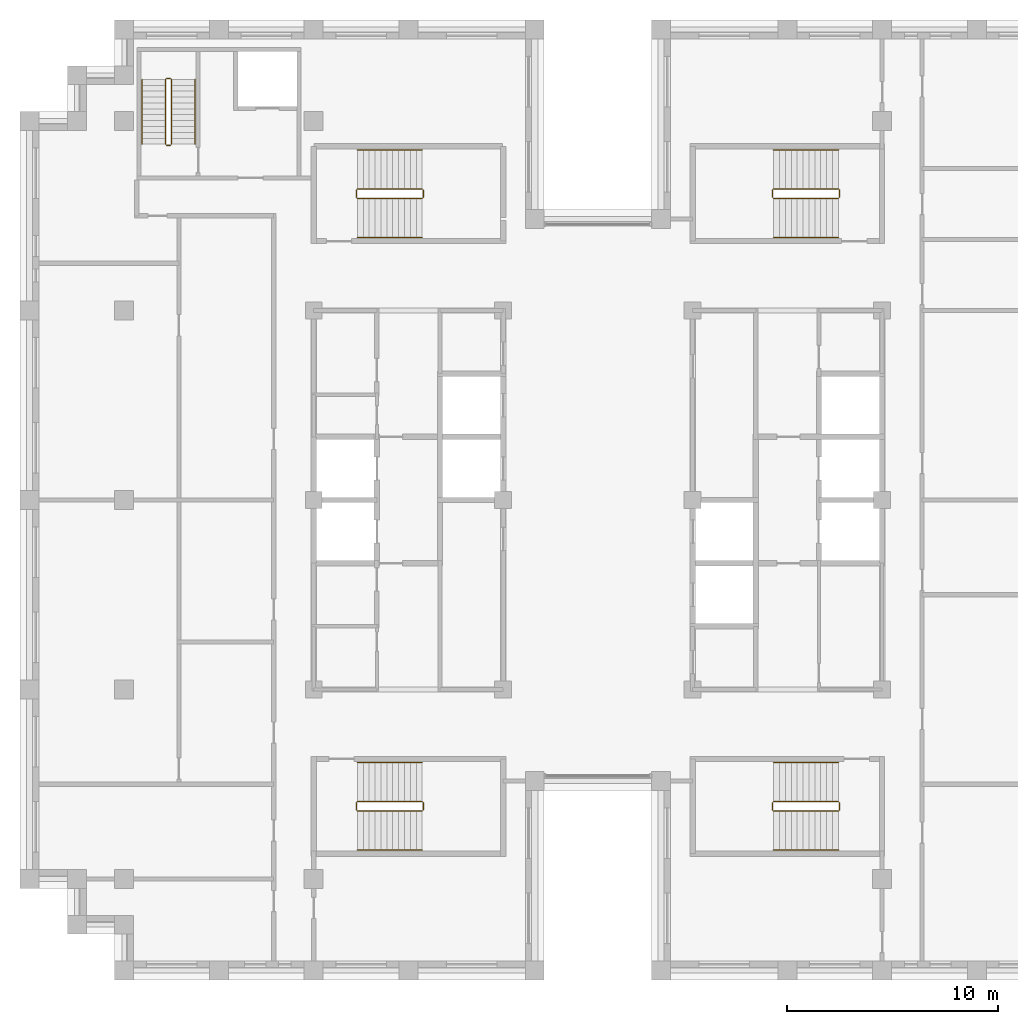
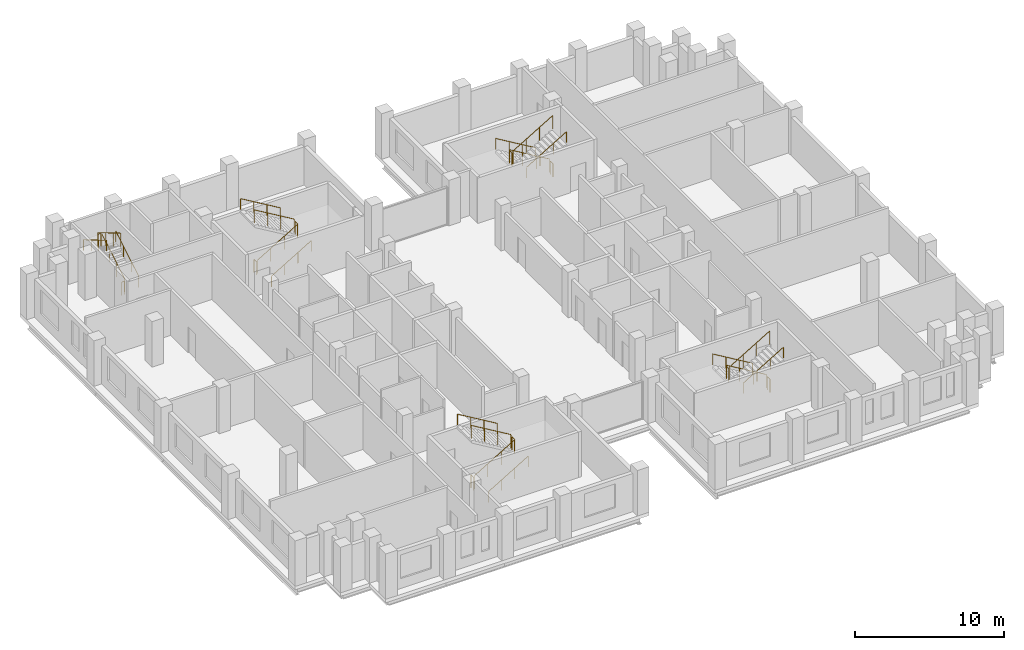
# One storey, part 13 of 13: 5 railings.
"""IFC4 building model written with IfcOpenShell, lengths in metres."""

from ifc_helpers import new_model, si_unit, direction, frame, origin, origin_2d, place, context, subcontext, project, spatial, circle, extrude, material, type_object, element, save


model = new_model("IFC4")

# Units and contexts
model_context = context("Model", 3, precision=1e-05, world=origin(), true_north=direction((0.0, 1.0)))
body_context = subcontext(model_context, "Body", "Model", "MODEL_VIEW")
ifc_project = project(units=[si_unit("LENGTHUNIT", "METRE"), si_unit("AREAUNIT", "SQUARE_METRE"), si_unit("VOLUMEUNIT", "CUBIC_METRE"), si_unit("PLANEANGLEUNIT", "RADIAN"), si_unit("MASSUNIT", "GRAM", prefix="KILO")], contexts=[model_context])

# Site, building, storey
site_placement = place(None, origin())
site = spatial("IfcSite", under=ifc_project, at=site_placement, CompositionType="ELEMENT")
building_placement = place(site_placement, origin())
building = spatial("IfcBuilding", under=site, at=building_placement, Name="Corbelhall Arena Tower", CompositionType="ELEMENT")
storey_placement = place(building_placement, frame((0.0, 0.0, 258.0)))
storey = spatial("IfcBuildingStorey", under=building, at=storey_placement, Name="L55", CompositionType="ELEMENT", Elevation=258.0)

# Railings
ifc_material = material(Name="Steel ASTM A500 Gr C", Category="steel")
railing_type = type_object("IfcRailingType", Name="IN-GD-1100", PredefinedType="GUARDRAIL", material=ifc_material)
railing_1_placement = place(storey_placement, frame((-11.425048828125, 14.324951171875, 0.166748046875)))
element("IfcRailing", 1, at=railing_1_placement, inside=storey, type_object=railing_type, Name="L55 ST1 stair guards and handrails", PredefinedType="GUARDRAIL", context=body_context, shape_type="SweptSolid", body=[
    extrude(circle(Radius=0.02392578125, at=origin_2d()), frame((0.0, 0.0, 1.076171875), z_axis=(0.859308565015, 0.0, 0.511457515432), x_axis=(0.0, 1.0, 0.0)), (0.0, 0.0, 1.0), 3.58447265625),
    extrude(circle(Radius=0.02392578125, at=origin_2d()), frame((3.130126953125, 0.050048828125, 2.9091796875), z_axis=(0.0, 1.0, 0.0), x_axis=(-1.0, 0.0, 0.0)), (0.0, 0.0, 1.0), 0.35009765625),
    extrude(circle(Radius=0.02392578125, at=origin_2d()), frame((3.080078125, 0.449951171875, 3.076171875), z_axis=(-0.859308565015, 0.0, 0.511457515432), x_axis=(0.0, -1.0, 0.0)), (0.0, 0.0, 1.0), 3.58447265625),
    extrude(circle(Radius=0.02392578125, at=origin_2d()), frame((-0.050048828125, 0.050048828125, 0.9091796875), z_axis=(0.0, 1.0, 0.0), x_axis=(-1.0, 0.0, 0.0)), (0.0, 0.0, 1.0), 0.35009765625),
    extrude(circle(Radius=0.02392578125, at=origin_2d()), frame((0.0, -1.849853515625, 0.8759765625), z_axis=(0.859308565015, 0.0, 0.511457515432), x_axis=(0.0, 1.0, 0.0)), (0.0, 0.0, 1.0), 3.58447265625),
    extrude(circle(Radius=0.02392578125, at=origin_2d()), frame((3.080078125, 2.300048828125, 2.8759765625), z_axis=(-0.859308565015, 0.0, 0.511457515432), x_axis=(0.0, -1.0, 0.0)), (0.0, 0.0, 1.0), 3.58447265625),
    extrude(circle(Radius=0.02099609375, at=origin_2d()), origin(), (0.0, 0.0, 1.0), 1.052001953125),
    extrude(circle(Radius=0.02099609375, at=origin_2d()), frame((1.026611328125, 0.0, 0.611083984375)), (0.0, 0.0, 1.0), 1.052001953125),
    extrude(circle(Radius=0.02099609375, at=origin_2d()), frame((2.053466796875, 0.0, 1.22216796875)), (0.0, 0.0, 1.0), 1.052001953125),
    extrude(circle(Radius=0.02099609375, at=origin_2d()), frame((3.080078125, 0.0, 1.833251953125)), (0.0, 0.0, 1.0), 1.052001953125),
    extrude(circle(Radius=0.02099609375, at=origin_2d()), frame((3.130126953125, 0.050048828125, 1.833251953125)), (0.0, 0.0, 1.0), 1.052001953125),
    extrude(circle(Radius=0.02099609375, at=origin_2d()), frame((3.130126953125, 0.400146484375, 1.833251953125)), (0.0, 0.0, 1.0), 1.052001953125),
    extrude(circle(Radius=0.02099609375, at=origin_2d()), frame((3.080078125, 0.449951171875, 2.0)), (0.0, 0.0, 1.0), 1.052001953125),
    extrude(circle(Radius=0.02099609375, at=origin_2d()), frame((2.053466796875, 0.449951171875, 2.611083984375)), (0.0, 0.0, 1.0), 1.052001953125),
    extrude(circle(Radius=0.02099609375, at=origin_2d()), frame((1.026611328125, 0.449951171875, 3.22216796875)), (0.0, 0.0, 1.0), 1.052001953125),
    extrude(circle(Radius=0.02099609375, at=origin_2d()), frame((0.0, 0.449951171875, 3.833251953125)), (0.0, 0.0, 1.0), 1.052001953125),
    extrude(circle(Radius=0.02099609375, at=origin_2d()), frame((-0.050048828125, 0.050048828125, -0.166748046875)), (0.0, 0.0, 1.0), 1.052001953125),
    extrude(circle(Radius=0.02099609375, at=origin_2d()), frame((-0.050048828125, 0.400146484375, -0.166748046875)), (0.0, 0.0, 1.0), 1.052001953125),
    extrude(circle(Radius=0.02099609375, at=origin_2d()), frame((0.0, -1.849853515625, 0.0)), (0.0, 0.0, 1.0), 0.851806640625),
    extrude(circle(Radius=0.02099609375, at=origin_2d()), frame((1.026611328125, -1.849853515625, 0.611083984375)), (0.0, 0.0, 1.0), 0.851806640625),
    extrude(circle(Radius=0.02099609375, at=origin_2d()), frame((2.053466796875, -1.849853515625, 1.22216796875)), (0.0, 0.0, 1.0), 0.851806640625),
    extrude(circle(Radius=0.02099609375, at=origin_2d()), frame((3.080078125, -1.849853515625, 1.833251953125)), (0.0, 0.0, 1.0), 0.851806640625),
    extrude(circle(Radius=0.02099609375, at=origin_2d()), frame((3.080078125, 2.300048828125, 2.0)), (0.0, 0.0, 1.0), 0.851806640625),
    extrude(circle(Radius=0.02099609375, at=origin_2d()), frame((2.053466796875, 2.300048828125, 2.611083984375)), (0.0, 0.0, 1.0), 0.851806640625),
    extrude(circle(Radius=0.02099609375, at=origin_2d()), frame((1.026611328125, 2.300048828125, 3.22216796875)), (0.0, 0.0, 1.0), 0.851806640625),
    extrude(circle(Radius=0.02099609375, at=origin_2d()), frame((0.0, 2.300048828125, 3.833251953125)), (0.0, 0.0, 1.0), 0.851806640625),
])
railing_2_placement = place(storey_placement, frame((-11.425048828125, -14.77490234375, 0.166748046875)))
element("IfcRailing", 2, at=railing_2_placement, inside=storey, type_object=railing_type, Name="L55 ST2 stair guards and handrails", PredefinedType="GUARDRAIL", context=body_context, shape_type="SweptSolid", body=[
    extrude(circle(Radius=0.02392578125, at=origin_2d()), frame((0.0, 0.0, 1.076171875), z_axis=(0.859308565015, 0.0, 0.511457515432), x_axis=(0.0, 1.0, 0.0)), (0.0, 0.0, 1.0), 3.58447265625),
    extrude(circle(Radius=0.02392578125, at=origin_2d()), frame((3.130126953125, 0.0498046875, 2.9091796875), z_axis=(0.0, 1.0, 0.0), x_axis=(-1.0, 0.0, 0.0)), (0.0, 0.0, 1.0), 0.35009765625),
    extrude(circle(Radius=0.02392578125, at=origin_2d()), frame((3.080078125, 0.449951171875, 3.076171875), z_axis=(-0.859308565015, 0.0, 0.511457515432), x_axis=(0.0, -1.0, 0.0)), (0.0, 0.0, 1.0), 3.58447265625),
    extrude(circle(Radius=0.02392578125, at=origin_2d()), frame((-0.050048828125, 0.0498046875, 0.9091796875), z_axis=(0.0, 1.0, 0.0), x_axis=(-1.0, 0.0, 0.0)), (0.0, 0.0, 1.0), 0.35009765625),
    extrude(circle(Radius=0.02392578125, at=origin_2d()), frame((0.0, -1.85009765625, 0.8759765625), z_axis=(0.859308565015, 0.0, 0.511457515432), x_axis=(0.0, 1.0, 0.0)), (0.0, 0.0, 1.0), 3.58447265625),
    extrude(circle(Radius=0.02392578125, at=origin_2d()), frame((3.080078125, 2.2998046875, 2.8759765625), z_axis=(-0.859308565015, 0.0, 0.511457515432), x_axis=(0.0, -1.0, 0.0)), (0.0, 0.0, 1.0), 3.58447265625),
    extrude(circle(Radius=0.02099609375, at=origin_2d()), origin(), (0.0, 0.0, 1.0), 1.052001953125),
    extrude(circle(Radius=0.02099609375, at=origin_2d()), frame((1.026611328125, 0.0, 0.611083984375)), (0.0, 0.0, 1.0), 1.052001953125),
    extrude(circle(Radius=0.02099609375, at=origin_2d()), frame((2.053466796875, 0.0, 1.22216796875)), (0.0, 0.0, 1.0), 1.052001953125),
    extrude(circle(Radius=0.02099609375, at=origin_2d()), frame((3.080078125, 0.0, 1.833251953125)), (0.0, 0.0, 1.0), 1.052001953125),
    extrude(circle(Radius=0.02099609375, at=origin_2d()), frame((3.130126953125, 0.0498046875, 1.833251953125)), (0.0, 0.0, 1.0), 1.052001953125),
    extrude(circle(Radius=0.02099609375, at=origin_2d()), frame((3.130126953125, 0.39990234375, 1.833251953125)), (0.0, 0.0, 1.0), 1.052001953125),
    extrude(circle(Radius=0.02099609375, at=origin_2d()), frame((3.080078125, 0.449951171875, 2.0)), (0.0, 0.0, 1.0), 1.052001953125),
    extrude(circle(Radius=0.02099609375, at=origin_2d()), frame((2.053466796875, 0.449951171875, 2.611083984375)), (0.0, 0.0, 1.0), 1.052001953125),
    extrude(circle(Radius=0.02099609375, at=origin_2d()), frame((1.026611328125, 0.449951171875, 3.22216796875)), (0.0, 0.0, 1.0), 1.052001953125),
    extrude(circle(Radius=0.02099609375, at=origin_2d()), frame((0.0, 0.449951171875, 3.833251953125)), (0.0, 0.0, 1.0), 1.052001953125),
    extrude(circle(Radius=0.02099609375, at=origin_2d()), frame((-0.050048828125, 0.0498046875, -0.166748046875)), (0.0, 0.0, 1.0), 1.052001953125),
    extrude(circle(Radius=0.02099609375, at=origin_2d()), frame((-0.050048828125, 0.39990234375, -0.166748046875)), (0.0, 0.0, 1.0), 1.052001953125),
    extrude(circle(Radius=0.02099609375, at=origin_2d()), frame((0.0, -1.85009765625, 0.0)), (0.0, 0.0, 1.0), 0.851806640625),
    extrude(circle(Radius=0.02099609375, at=origin_2d()), frame((1.026611328125, -1.85009765625, 0.611083984375)), (0.0, 0.0, 1.0), 0.851806640625),
    extrude(circle(Radius=0.02099609375, at=origin_2d()), frame((2.053466796875, -1.85009765625, 1.22216796875)), (0.0, 0.0, 1.0), 0.851806640625),
    extrude(circle(Radius=0.02099609375, at=origin_2d()), frame((3.080078125, -1.85009765625, 1.833251953125)), (0.0, 0.0, 1.0), 0.851806640625),
    extrude(circle(Radius=0.02099609375, at=origin_2d()), frame((3.080078125, 2.2998046875, 2.0)), (0.0, 0.0, 1.0), 0.851806640625),
    extrude(circle(Radius=0.02099609375, at=origin_2d()), frame((2.053466796875, 2.2998046875, 2.611083984375)), (0.0, 0.0, 1.0), 0.851806640625),
    extrude(circle(Radius=0.02099609375, at=origin_2d()), frame((1.026611328125, 2.2998046875, 3.22216796875)), (0.0, 0.0, 1.0), 0.851806640625),
    extrude(circle(Radius=0.02099609375, at=origin_2d()), frame((0.0, 2.2998046875, 3.833251953125)), (0.0, 0.0, 1.0), 0.851806640625),
])
railing_3_placement = place(storey_placement, frame((11.425048828125, 14.77490234375, 0.166748046875)))
element("IfcRailing", 3, at=railing_3_placement, inside=storey, type_object=railing_type, Name="L55 ST3 stair guards and handrails", PredefinedType="GUARDRAIL", context=body_context, shape_type="SweptSolid", body=[
    extrude(circle(Radius=0.02392578125, at=origin_2d()), frame((0.0, 0.0, 1.076171875), z_axis=(-0.859308565015, 0.0, 0.511457515432), x_axis=(0.0, -1.0, 0.0)), (0.0, 0.0, 1.0), 3.58447265625),
    extrude(circle(Radius=0.02392578125, at=origin_2d()), frame((-3.130126953125, -0.0498046875, 2.9091796875), z_axis=(0.0, -1.0, 0.0), x_axis=(1.0, 0.0, 0.0)), (0.0, 0.0, 1.0), 0.35009765625),
    extrude(circle(Radius=0.02392578125, at=origin_2d()), frame((-3.080078125, -0.449951171875, 3.076171875), z_axis=(0.859308565015, 0.0, 0.511457515432), x_axis=(0.0, 1.0, 0.0)), (0.0, 0.0, 1.0), 3.58447265625),
    extrude(circle(Radius=0.02392578125, at=origin_2d()), frame((0.050048828125, -0.0498046875, 0.9091796875), z_axis=(0.0, -1.0, 0.0), x_axis=(1.0, 0.0, 0.0)), (0.0, 0.0, 1.0), 0.35009765625),
    extrude(circle(Radius=0.02392578125, at=origin_2d()), frame((0.0, 1.85009765625, 0.8759765625), z_axis=(-0.859308565015, 0.0, 0.511457515432), x_axis=(0.0, -1.0, 0.0)), (0.0, 0.0, 1.0), 3.58447265625),
    extrude(circle(Radius=0.02392578125, at=origin_2d()), frame((-3.080078125, -2.2998046875, 2.8759765625), z_axis=(0.859308565015, 0.0, 0.511457515432), x_axis=(0.0, 1.0, 0.0)), (0.0, 0.0, 1.0), 3.58447265625),
    extrude(circle(Radius=0.02099609375, at=origin_2d()), origin(), (0.0, 0.0, 1.0), 1.052001953125),
    extrude(circle(Radius=0.02099609375, at=origin_2d()), frame((-1.026611328125, 0.0, 0.611083984375)), (0.0, 0.0, 1.0), 1.052001953125),
    extrude(circle(Radius=0.02099609375, at=origin_2d()), frame((-2.053466796875, 0.0, 1.22216796875)), (0.0, 0.0, 1.0), 1.052001953125),
    extrude(circle(Radius=0.02099609375, at=origin_2d()), frame((-3.080078125, 0.0, 1.833251953125)), (0.0, 0.0, 1.0), 1.052001953125),
    extrude(circle(Radius=0.02099609375, at=origin_2d()), frame((-3.130126953125, -0.0498046875, 1.833251953125)), (0.0, 0.0, 1.0), 1.052001953125),
    extrude(circle(Radius=0.02099609375, at=origin_2d()), frame((-3.130126953125, -0.39990234375, 1.833251953125)), (0.0, 0.0, 1.0), 1.052001953125),
    extrude(circle(Radius=0.02099609375, at=origin_2d()), frame((-3.080078125, -0.449951171875, 2.0)), (0.0, 0.0, 1.0), 1.052001953125),
    extrude(circle(Radius=0.02099609375, at=origin_2d()), frame((-2.053466796875, -0.449951171875, 2.611083984375)), (0.0, 0.0, 1.0), 1.052001953125),
    extrude(circle(Radius=0.02099609375, at=origin_2d()), frame((-1.026611328125, -0.449951171875, 3.22216796875)), (0.0, 0.0, 1.0), 1.052001953125),
    extrude(circle(Radius=0.02099609375, at=origin_2d()), frame((0.0, -0.449951171875, 3.833251953125)), (0.0, 0.0, 1.0), 1.052001953125),
    extrude(circle(Radius=0.02099609375, at=origin_2d()), frame((0.050048828125, -0.0498046875, -0.166748046875)), (0.0, 0.0, 1.0), 1.052001953125),
    extrude(circle(Radius=0.02099609375, at=origin_2d()), frame((0.050048828125, -0.39990234375, -0.166748046875)), (0.0, 0.0, 1.0), 1.052001953125),
    extrude(circle(Radius=0.02099609375, at=origin_2d()), frame((0.0, 1.85009765625, 0.0)), (0.0, 0.0, 1.0), 0.851806640625),
    extrude(circle(Radius=0.02099609375, at=origin_2d()), frame((-1.026611328125, 1.85009765625, 0.611083984375)), (0.0, 0.0, 1.0), 0.851806640625),
    extrude(circle(Radius=0.02099609375, at=origin_2d()), frame((-2.053466796875, 1.85009765625, 1.22216796875)), (0.0, 0.0, 1.0), 0.851806640625),
    extrude(circle(Radius=0.02099609375, at=origin_2d()), frame((-3.080078125, 1.85009765625, 1.833251953125)), (0.0, 0.0, 1.0), 0.851806640625),
    extrude(circle(Radius=0.02099609375, at=origin_2d()), frame((-3.080078125, -2.2998046875, 2.0)), (0.0, 0.0, 1.0), 0.851806640625),
    extrude(circle(Radius=0.02099609375, at=origin_2d()), frame((-2.053466796875, -2.2998046875, 2.611083984375)), (0.0, 0.0, 1.0), 0.851806640625),
    extrude(circle(Radius=0.02099609375, at=origin_2d()), frame((-1.026611328125, -2.2998046875, 3.22216796875)), (0.0, 0.0, 1.0), 0.851806640625),
    extrude(circle(Radius=0.02099609375, at=origin_2d()), frame((0.0, -2.2998046875, 3.833251953125)), (0.0, 0.0, 1.0), 0.851806640625),
])
railing_4_placement = place(storey_placement, frame((11.425048828125, -14.324951171875, 0.166748046875)))
element("IfcRailing", 4, at=railing_4_placement, inside=storey, type_object=railing_type, Name="L55 ST4 stair guards and handrails", PredefinedType="GUARDRAIL", context=body_context, shape_type="SweptSolid", body=[
    extrude(circle(Radius=0.02392578125, at=origin_2d()), frame((0.0, 0.0, 1.076171875), z_axis=(-0.859308565015, 0.0, 0.511457515432), x_axis=(0.0, -1.0, 0.0)), (0.0, 0.0, 1.0), 3.58447265625),
    extrude(circle(Radius=0.02392578125, at=origin_2d()), frame((-3.130126953125, -0.050048828125, 2.9091796875), z_axis=(0.0, -1.0, 0.0), x_axis=(1.0, 0.0, 0.0)), (0.0, 0.0, 1.0), 0.35009765625),
    extrude(circle(Radius=0.02392578125, at=origin_2d()), frame((-3.080078125, -0.449951171875, 3.076171875), z_axis=(0.859308565015, 0.0, 0.511457515432), x_axis=(0.0, 1.0, 0.0)), (0.0, 0.0, 1.0), 3.58447265625),
    extrude(circle(Radius=0.02392578125, at=origin_2d()), frame((0.050048828125, -0.050048828125, 0.9091796875), z_axis=(0.0, -1.0, 0.0), x_axis=(1.0, 0.0, 0.0)), (0.0, 0.0, 1.0), 0.35009765625),
    extrude(circle(Radius=0.02392578125, at=origin_2d()), frame((0.0, 1.849853515625, 0.8759765625), z_axis=(-0.859308565015, 0.0, 0.511457515432), x_axis=(0.0, -1.0, 0.0)), (0.0, 0.0, 1.0), 3.58447265625),
    extrude(circle(Radius=0.02392578125, at=origin_2d()), frame((-3.080078125, -2.300048828125, 2.8759765625), z_axis=(0.859308565015, 0.0, 0.511457515432), x_axis=(0.0, 1.0, 0.0)), (0.0, 0.0, 1.0), 3.58447265625),
    extrude(circle(Radius=0.02099609375, at=origin_2d()), origin(), (0.0, 0.0, 1.0), 1.052001953125),
    extrude(circle(Radius=0.02099609375, at=origin_2d()), frame((-1.026611328125, 0.0, 0.611083984375)), (0.0, 0.0, 1.0), 1.052001953125),
    extrude(circle(Radius=0.02099609375, at=origin_2d()), frame((-2.053466796875, 0.0, 1.22216796875)), (0.0, 0.0, 1.0), 1.052001953125),
    extrude(circle(Radius=0.02099609375, at=origin_2d()), frame((-3.080078125, 0.0, 1.833251953125)), (0.0, 0.0, 1.0), 1.052001953125),
    extrude(circle(Radius=0.02099609375, at=origin_2d()), frame((-3.130126953125, -0.050048828125, 1.833251953125)), (0.0, 0.0, 1.0), 1.052001953125),
    extrude(circle(Radius=0.02099609375, at=origin_2d()), frame((-3.130126953125, -0.400146484375, 1.833251953125)), (0.0, 0.0, 1.0), 1.052001953125),
    extrude(circle(Radius=0.02099609375, at=origin_2d()), frame((-3.080078125, -0.449951171875, 2.0)), (0.0, 0.0, 1.0), 1.052001953125),
    extrude(circle(Radius=0.02099609375, at=origin_2d()), frame((-2.053466796875, -0.449951171875, 2.611083984375)), (0.0, 0.0, 1.0), 1.052001953125),
    extrude(circle(Radius=0.02099609375, at=origin_2d()), frame((-1.026611328125, -0.449951171875, 3.22216796875)), (0.0, 0.0, 1.0), 1.052001953125),
    extrude(circle(Radius=0.02099609375, at=origin_2d()), frame((0.0, -0.449951171875, 3.833251953125)), (0.0, 0.0, 1.0), 1.052001953125),
    extrude(circle(Radius=0.02099609375, at=origin_2d()), frame((0.050048828125, -0.050048828125, -0.166748046875)), (0.0, 0.0, 1.0), 1.052001953125),
    extrude(circle(Radius=0.02099609375, at=origin_2d()), frame((0.050048828125, -0.400146484375, -0.166748046875)), (0.0, 0.0, 1.0), 1.052001953125),
    extrude(circle(Radius=0.02099609375, at=origin_2d()), frame((0.0, 1.849853515625, 0.0)), (0.0, 0.0, 1.0), 0.851806640625),
    extrude(circle(Radius=0.02099609375, at=origin_2d()), frame((-1.026611328125, 1.849853515625, 0.611083984375)), (0.0, 0.0, 1.0), 0.851806640625),
    extrude(circle(Radius=0.02099609375, at=origin_2d()), frame((-2.053466796875, 1.849853515625, 1.22216796875)), (0.0, 0.0, 1.0), 0.851806640625),
    extrude(circle(Radius=0.02099609375, at=origin_2d()), frame((-3.080078125, 1.849853515625, 1.833251953125)), (0.0, 0.0, 1.0), 0.851806640625),
    extrude(circle(Radius=0.02099609375, at=origin_2d()), frame((-3.080078125, -2.300048828125, 2.0)), (0.0, 0.0, 1.0), 0.851806640625),
    extrude(circle(Radius=0.02099609375, at=origin_2d()), frame((-2.053466796875, -2.300048828125, 2.611083984375)), (0.0, 0.0, 1.0), 0.851806640625),
    extrude(circle(Radius=0.02099609375, at=origin_2d()), frame((-1.026611328125, -2.300048828125, 3.22216796875)), (0.0, 0.0, 1.0), 0.851806640625),
    extrude(circle(Radius=0.02099609375, at=origin_2d()), frame((0.0, -2.300048828125, 3.833251953125)), (0.0, 0.0, 1.0), 0.851806640625),
])
railing_5_placement = place(storey_placement, frame((-20.2451171875, 16.89990234375, 0.166748046875)))
element("IfcRailing", 5, at=railing_5_placement, inside=storey, type_object=railing_type, Name="L55 ST5 stair guards and handrails", PredefinedType="GUARDRAIL", context=body_context, shape_type="SweptSolid", body=[
    extrude(circle(Radius=0.02392578125, at=origin_2d()), frame((0.0, 0.0, 1.076171875), z_axis=(0.0, 0.859308565015, 0.511457515432), x_axis=(-1.0, 0.0, 0.0)), (0.0, 0.0, 1.0), 3.58447265625),
    extrude(circle(Radius=0.02392578125, at=origin_2d()), frame((-0.0498046875, 3.130126953125, 2.9091796875), z_axis=(-1.0, 0.0, 0.0), x_axis=(0.0, -1.0, 0.0)), (0.0, 0.0, 1.0), 0.2001953125),
    extrude(circle(Radius=0.02392578125, at=origin_2d()), frame((-0.2998046875, 3.080078125, 3.076171875), z_axis=(0.0, -0.859308565015, 0.511457515432), x_axis=(1.0, 0.0, 0.0)), (0.0, 0.0, 1.0), 3.58447265625),
    extrude(circle(Radius=0.02392578125, at=origin_2d()), frame((-0.0498046875, -0.0498046875, 0.9091796875), z_axis=(-1.0, 0.0, 0.0), x_axis=(0.0, -1.0, 0.0)), (0.0, 0.0, 1.0), 0.2001953125),
    extrude(circle(Radius=0.02392578125, at=origin_2d()), frame((1.10009765625, 0.0, 0.8759765625), z_axis=(0.0, 0.859308565015, 0.511457515432), x_axis=(-1.0, 0.0, 0.0)), (0.0, 0.0, 1.0), 3.58447265625),
    extrude(circle(Radius=0.02392578125, at=origin_2d()), frame((-1.39990234375, 3.080078125, 2.8759765625), z_axis=(0.0, -0.859308565015, 0.511457515432), x_axis=(1.0, 0.0, 0.0)), (0.0, 0.0, 1.0), 3.58447265625),
    extrude(circle(Radius=0.02099609375, at=origin_2d()), origin(), (0.0, 0.0, 1.0), 1.052001953125),
    extrude(circle(Radius=0.02099609375, at=origin_2d()), frame((0.0, 1.026611328125, 0.611083984375)), (0.0, 0.0, 1.0), 1.052001953125),
    extrude(circle(Radius=0.02099609375, at=origin_2d()), frame((0.0, 2.053466796875, 1.22216796875)), (0.0, 0.0, 1.0), 1.052001953125),
    extrude(circle(Radius=0.02099609375, at=origin_2d()), frame((0.0, 3.080078125, 1.833251953125)), (0.0, 0.0, 1.0), 1.052001953125),
    extrude(circle(Radius=0.02099609375, at=origin_2d()), frame((-0.0498046875, 3.130126953125, 1.833251953125)), (0.0, 0.0, 1.0), 1.052001953125),
    extrude(circle(Radius=0.02099609375, at=origin_2d()), frame((-0.25, 3.130126953125, 1.833251953125)), (0.0, 0.0, 1.0), 1.052001953125),
    extrude(circle(Radius=0.02099609375, at=origin_2d()), frame((-0.2998046875, 3.080078125, 2.0)), (0.0, 0.0, 1.0), 1.052001953125),
    extrude(circle(Radius=0.02099609375, at=origin_2d()), frame((-0.2998046875, 2.053466796875, 2.611083984375)), (0.0, 0.0, 1.0), 1.052001953125),
    extrude(circle(Radius=0.02099609375, at=origin_2d()), frame((-0.2998046875, 1.026611328125, 3.22216796875)), (0.0, 0.0, 1.0), 1.052001953125),
    extrude(circle(Radius=0.02099609375, at=origin_2d()), frame((-0.2998046875, 0.0, 3.833251953125)), (0.0, 0.0, 1.0), 1.052001953125),
    extrude(circle(Radius=0.02099609375, at=origin_2d()), frame((-0.0498046875, -0.0498046875, -0.166748046875)), (0.0, 0.0, 1.0), 1.052001953125),
    extrude(circle(Radius=0.02099609375, at=origin_2d()), frame((-0.25, -0.0498046875, -0.166748046875)), (0.0, 0.0, 1.0), 1.052001953125),
    extrude(circle(Radius=0.02099609375, at=origin_2d()), frame((1.10009765625, 0.0, 0.0)), (0.0, 0.0, 1.0), 0.851806640625),
    extrude(circle(Radius=0.02099609375, at=origin_2d()), frame((1.10009765625, 1.026611328125, 0.611083984375)), (0.0, 0.0, 1.0), 0.851806640625),
    extrude(circle(Radius=0.02099609375, at=origin_2d()), frame((1.10009765625, 2.053466796875, 1.22216796875)), (0.0, 0.0, 1.0), 0.851806640625),
    extrude(circle(Radius=0.02099609375, at=origin_2d()), frame((1.10009765625, 3.080078125, 1.833251953125)), (0.0, 0.0, 1.0), 0.851806640625),
    extrude(circle(Radius=0.02099609375, at=origin_2d()), frame((-1.39990234375, 3.080078125, 2.0)), (0.0, 0.0, 1.0), 0.851806640625),
    extrude(circle(Radius=0.02099609375, at=origin_2d()), frame((-1.39990234375, 2.053466796875, 2.611083984375)), (0.0, 0.0, 1.0), 0.851806640625),
    extrude(circle(Radius=0.02099609375, at=origin_2d()), frame((-1.39990234375, 1.026611328125, 3.22216796875)), (0.0, 0.0, 1.0), 0.851806640625),
    extrude(circle(Radius=0.02099609375, at=origin_2d()), frame((-1.39990234375, 0.0, 3.833251953125)), (0.0, 0.0, 1.0), 0.851806640625),
])

save(model, "model.ifc")
